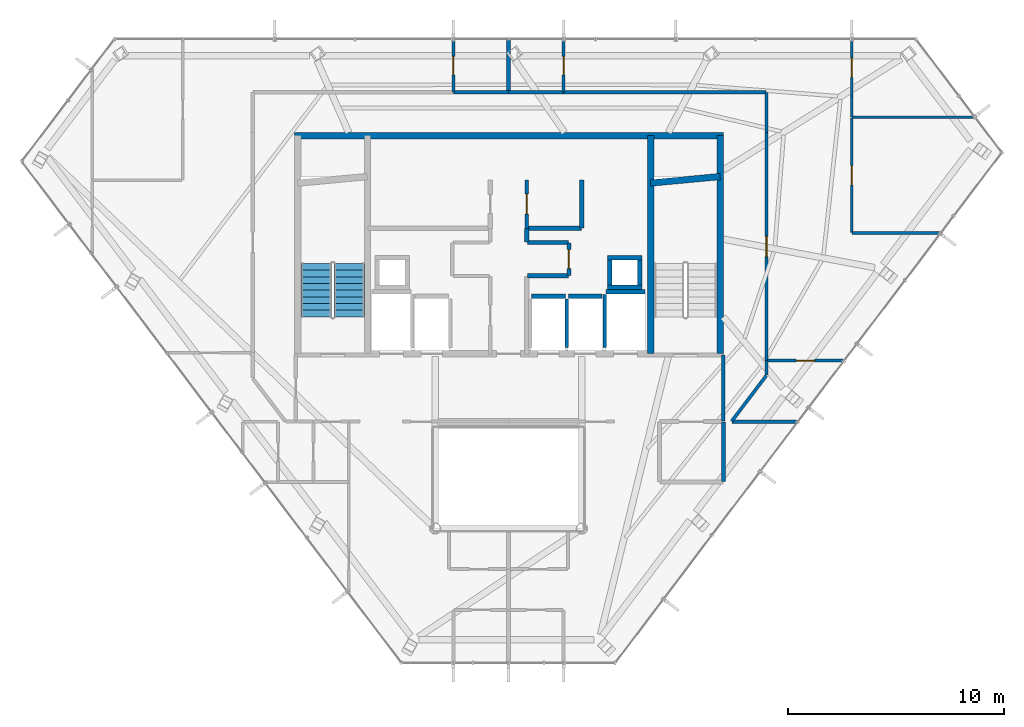
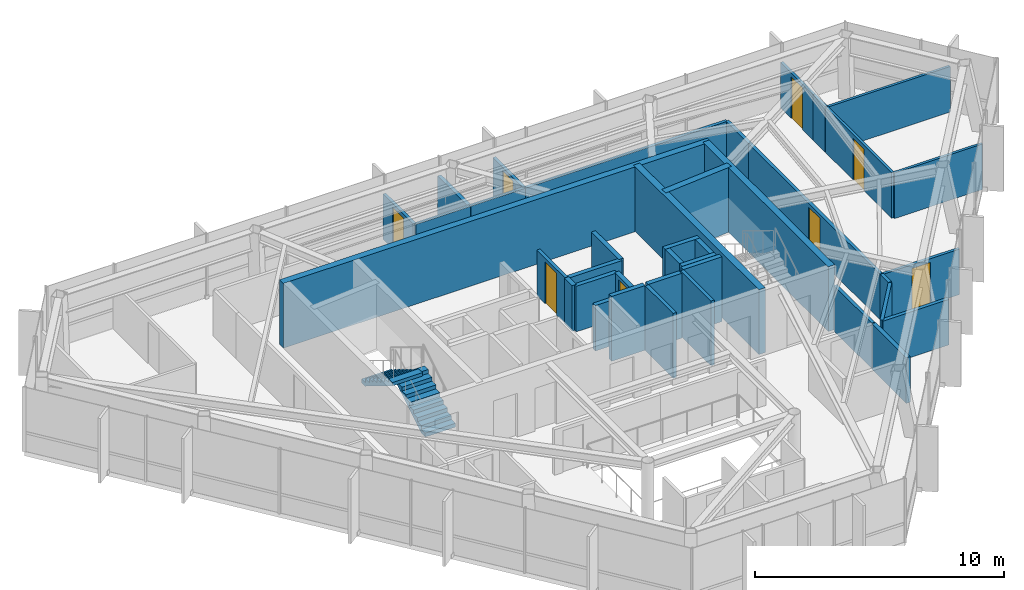
# One storey, part 24 of 26: 39 walls, 8 doors, 2 stair flights, 8 openings, 1 element without a shape of its own.
"""IFC4 building model written with IfcOpenShell, lengths in metres."""

from ifc_helpers import new_model, si_unit, direction, frame, frame_2d, origin, place, context, subcontext, project, spatial, polyline, rectangle, outline, extrude, material, layer, layer_set, type_object, element, fill, aggregate, save


model = new_model("IFC4")

# Units and contexts
model_context = context("Model", 3, precision=1e-05, world=origin(), true_north=direction((0.0, 1.0)))
body_context = subcontext(model_context, "Body", "Model", "MODEL_VIEW")
ifc_project = project(units=[si_unit("LENGTHUNIT", "METRE"), si_unit("AREAUNIT", "SQUARE_METRE"), si_unit("VOLUMEUNIT", "CUBIC_METRE"), si_unit("PLANEANGLEUNIT", "RADIAN"), si_unit("MASSUNIT", "GRAM", prefix="KILO")], contexts=[model_context])

# Site, building, storey
site_placement = place(None, origin())
site = spatial("IfcSite", under=ifc_project, at=site_placement, CompositionType="ELEMENT")
building_placement = place(site_placement, origin())
building = spatial("IfcBuilding", under=site, at=building_placement, Name="Zarrinselat Tower", CompositionType="ELEMENT")
storey_placement = place(building_placement, frame((0.0, 0.0, 265.199951171875)))
storey = spatial("IfcBuildingStorey", under=building, at=storey_placement, Name="L67", CompositionType="ELEMENT", Elevation=265.199951171875)

# Walls
ifc_material_1 = material(Name="Fire-Rated Gypsum Board Partition", Category="gypsum")
ifc_layer_1 = layer(ifc_material_1, 0.1650390625)
ifc_layer_set_1 = layer_set([ifc_layer_1], Name="Fire-Rated Gypsum Board Partition")
wall_type_1 = type_object("IfcWallType", Name="WAL-PART-DEMISE", PredefinedType="PARTITIONING", material=ifc_layer_set_1)
wall_1_placement = place(storey_placement, frame((48.745361328125, 30.14990234375, 0.0), z_axis=(0.0, 0.0, 1.0), x_axis=(1.0, 0.0, 0.0)))
element("IfcWall", 1, at=wall_1_placement, inside=storey, type_object=wall_type_1, Name="L67 Partition Wall 60", PredefinedType="PARTITIONING", context=body_context, shape_type="SweptSolid", body=[
    extrude(rectangle(XDim=3.05126953125, YDim=0.1650390625, at=frame_2d((1.525634765625, 0.0))), origin(), (0.0, 0.0, 1.0), 2.235107421875),
])
wall_2_placement = place(storey_placement, frame((38.39990234375, 45.4267578125, 0.0), z_axis=(0.0, 0.0, 1.0), x_axis=(0.0, 1.0, 0.0)))
element("IfcWall", 2, at=wall_2_placement, inside=storey, type_object=wall_type_1, Name="L67 Partition Wall 67", PredefinedType="PARTITIONING", context=body_context, shape_type="SweptSolid", body=[
    extrude(rectangle(XDim=2.425048828125, YDim=0.1650390625, at=frame_2d((1.21240234375, 0.0))), origin(), (0.0, 0.0, 1.0), 2.235107421875),
])
ifc_material_2 = material(Name="Concrete C40/50", Category="concrete")
ifc_layer_2 = layer(ifc_material_2, 0.18994140625)
ifc_layer_set_2 = layer_set([ifc_layer_2], Name="Concrete C40/50")
wall_type_2 = type_object("IfcWallType", Name="WAL-PART-EI120", PredefinedType="PARTITIONING", material=ifc_layer_set_2)
wall_3_placement = place(storey_placement, frame((48.35009765625, 27.3701171875, 0.0), z_axis=(0.0, 0.0, 1.0), x_axis=(0.0, 1.0, 0.0)))
element("IfcWall", 3, at=wall_3_placement, inside=storey, type_object=wall_type_2, Name="L67 Partition Wall 26", PredefinedType="PARTITIONING", context=body_context, shape_type="SweptSolid", body=[
    extrude(rectangle(XDim=2.759765625, YDim=0.18994140625, at=frame_2d((1.3798828125, 0.0))), origin(), (0.0, 0.0, 1.0), 2.235107421875),
])

# Wall, opening, door
ifc_material_3 = material(Name="Fire-Rated Gypsum Board Partition", Category="gypsum")
ifc_layer_3 = layer(ifc_material_3, 0.14990234375)
ifc_layer_set_3 = layer_set([ifc_layer_3], Name="Fire-Rated Gypsum Board Partition")
wall_type_3 = type_object("IfcWallType", Name="WAL-PART-EI60", PredefinedType="PARTITIONING", material=ifc_layer_set_3)
wall_4_placement = place(storey_placement, frame((39.25, 39.10498046875, 0.0), z_axis=(0.0, 0.0, 1.0), x_axis=(0.0, 1.0, 0.0)))
wall_4 = element("IfcWall", 4, at=wall_4_placement, inside=storey, type_object=wall_type_3, Name="L67 Partition Wall 12", PredefinedType="PARTITIONING", context=body_context, shape_type="SweptSolid", body=[
    extrude(rectangle(XDim=2.2451171875, YDim=0.14990234375, at=frame_2d((1.12255859375, 0.0))), origin(), (0.0, 0.0, 1.0), 2.235107421875),
])
opening_1_placement = place(wall_4_placement, frame((0.652587890625, 0.0, 0.0)))
opening_1 = element("IfcOpeningElement", 5, at=opening_1_placement, cuts=wall_4, Name="Opening ID-04", PredefinedType="OPENING", context=body_context, shape_type="SweptSolid", body=[
    extrude(rectangle(XDim=0.93994140625, YDim=2.050048828125, at=frame_2d((0.469970703125, 1.02490234375))), frame((0.0, 0.0849609375, 0.0), z_axis=(0.0, -1.0, 0.0), x_axis=(1.0, 0.0, 0.0)), (0.0, 0.0, 1.0), 0.169921875),
])
ifc_material_4 = material(Name="Fire-Rated Gypsum Board Partition")
door_type_1 = type_object("IfcDoorType", Name="DR-INT-FD30-ENT", OperationType="NOTDEFINED", PredefinedType="DOOR", material=ifc_material_4)
door_1_placement = place(opening_1_placement, origin())
door_1 = element("IfcDoor", 6, at=door_1_placement, inside=storey, type_object=door_type_1, Name="L67 Interior Door P12", OperationType="SINGLE_SWING_RIGHT", OverallHeight=2.050048828125, OverallWidth=0.93994140625, PredefinedType="DOOR", context=body_context, shape_type="SweptSolid", body=[
    extrude(rectangle(XDim=0.93994140625, YDim=2.050048828125, at=frame_2d((0.469970703125, 1.02490234375))), frame((0.0, 0.02490234375, 0.0), z_axis=(0.0, -1.0, 0.0), x_axis=(1.0, 0.0, 0.0)), (0.0, 0.0, 1.0), 0.050048828125),
])
fill(opening_1, door_1)

# Walls
wall_5_placement = place(storey_placement, frame((48.35009765625, 30.169921875, 0.0), z_axis=(0.0, 0.0, 1.0), x_axis=(0.0, 1.0, 0.0)))
element("IfcWall", 7, at=wall_5_placement, inside=storey, type_object=wall_type_3, Name="L67 Partition Wall 18", PredefinedType="PARTITIONING", context=body_context, shape_type="SweptSolid", body=[
    extrude(rectangle(XDim=3.06005859375, YDim=0.14990234375, at=frame_2d((1.530029296875, 0.0))), origin(), (0.0, 0.0, 1.0), 2.235107421875),
])
wall_6_placement = place(storey_placement, frame((35.85498046875, 45.40673828125, 0.0), z_axis=(0.0, 0.0, 1.0), x_axis=(1.0, 0.0, 0.0)))
element("IfcWall", 8, at=wall_6_placement, inside=storey, type_object=wall_type_3, Name="L67 Partition Wall 31", PredefinedType="PARTITIONING", context=body_context, shape_type="SweptSolid", body=[
    extrude(rectangle(XDim=2.5400390625, YDim=0.14990234375, at=frame_2d((1.27001953125, 0.0))), origin(), (0.0, 0.0, 1.0), 2.235107421875),
])
wall_7_placement = place(storey_placement, frame((40.955078125, 45.40673828125, 0.0), z_axis=(0.0, 0.0, 1.0), x_axis=(1.0, 0.0, 0.0)))
element("IfcWall", 9, at=wall_7_placement, inside=storey, type_object=wall_type_3, Name="L67 Partition Wall 34", PredefinedType="PARTITIONING", context=body_context, shape_type="SweptSolid", body=[
    extrude(rectangle(XDim=9.375, YDim=0.14990234375, at=frame_2d((4.6875, 0.0))), origin(), (0.0, 0.0, 1.0), 2.235107421875),
])
wall_8_placement = place(storey_placement, frame((50.35009765625, 43.550048828125, 0.0), z_axis=(0.0, 0.0, 1.0), x_axis=(0.0, 1.0, 0.0)))
element("IfcWall", 10, at=wall_8_placement, inside=storey, type_object=wall_type_3, Name="L67 Partition Wall 35", PredefinedType="PARTITIONING", context=body_context, shape_type="SweptSolid", body=[
    extrude(rectangle(XDim=1.836669921875, YDim=0.14990234375, at=frame_2d((0.91845703125, 0.0))), origin(), (0.0, 0.0, 1.0), 2.235107421875),
])

# Wall, opening, door
wall_9_placement = place(storey_placement, frame((50.35009765625, 32.97998046875, 0.0), z_axis=(0.0, 0.0, 1.0), x_axis=(0.0, 1.0, 0.0)))
wall_9 = element("IfcWall", 11, at=wall_9_placement, inside=storey, type_object=wall_type_3, Name="L67 Partition Wall 36", PredefinedType="PARTITIONING", context=body_context, shape_type="SweptSolid", body=[
    extrude(rectangle(XDim=10.570068359375, YDim=0.14990234375, at=frame_2d((5.28515625, 0.0))), origin(), (0.0, 0.0, 1.0), 2.235107421875),
])
opening_2_placement = place(wall_9_placement, frame((4.81494140625, 0.0, 0.0)))
opening_2 = element("IfcOpeningElement", 12, at=opening_2_placement, cuts=wall_9, Name="Opening ID-04", PredefinedType="OPENING", context=body_context, shape_type="SweptSolid", body=[
    extrude(rectangle(XDim=0.93994140625, YDim=2.050048828125, at=frame_2d((0.469970703125, 1.02490234375))), frame((0.0, 0.0849609375, 0.0), z_axis=(0.0, -1.0, 0.0), x_axis=(1.0, 0.0, 0.0)), (0.0, 0.0, 1.0), 0.169921875),
])
door_2_placement = place(opening_2_placement, origin())
door_2 = element("IfcDoor", 13, at=door_2_placement, inside=storey, type_object=door_type_1, Name="L67 Interior Door P36", OperationType="SINGLE_SWING_LEFT", OverallHeight=2.050048828125, OverallWidth=0.93994140625, PredefinedType="DOOR", context=body_context, shape_type="SweptSolid", body=[
    extrude(rectangle(XDim=0.93994140625, YDim=2.050048828125, at=frame_2d((0.469970703125, 1.02490234375))), frame((0.0, 0.02490234375, 0.0), z_axis=(0.0, -1.0, 0.0), x_axis=(1.0, 0.0, 0.0)), (0.0, 0.0, 1.0), 0.050048828125),
])
fill(opening_2, door_2)

# Walls
wall_10_placement = place(storey_placement, frame((50.35009765625, 32.314453125, 0.0), z_axis=(0.0, 0.0, 1.0), x_axis=(0.0, 1.0, 0.0)))
element("IfcWall", 14, at=wall_10_placement, inside=storey, type_object=wall_type_3, Name="L67 Partition Wall 37", PredefinedType="PARTITIONING", context=body_context, shape_type="SweptSolid", body=[
    extrude(rectangle(XDim=0.65576171875, YDim=0.14990234375, at=frame_2d((0.327880859375, 0.0))), origin(), (0.0, 0.0, 1.0), 2.235107421875),
])
wall_11_placement = place(storey_placement, frame((48.737548828125, 30.166015625, 0.0), z_axis=(0.0, 0.0, 1.0), x_axis=(0.603839951985, 0.797105584215, 0.0)))
element("IfcWall", 15, at=wall_11_placement, inside=storey, type_object=wall_type_3, Name="L67 Partition Wall 38", PredefinedType="PARTITIONING", context=body_context, shape_type="SweptSolid", body=[
    extrude(rectangle(XDim=2.650390625, YDim=0.14990234375, at=frame_2d((1.3251953125, 0.0))), origin(), (0.0, 0.0, 1.0), 2.235107421875),
])
wall_12_placement = place(storey_placement, frame((38.405029296875, 45.40673828125, 0.0), z_axis=(0.0, 0.0, 1.0), x_axis=(1.0, 0.0, 0.0)))
element("IfcWall", 16, at=wall_12_placement, inside=storey, type_object=wall_type_3, Name="L67 Partition Wall 39", PredefinedType="PARTITIONING", context=body_context, shape_type="SweptSolid", body=[
    extrude(rectangle(XDim=2.5400390625, YDim=0.14990234375, at=frame_2d((1.27001953125, 0.0))), origin(), (0.0, 0.0, 1.0), 2.235107421875),
])
ifc_material_5 = material(Name="Concrete C40/50", Category="concrete")
ifc_layer_4 = layer(ifc_material_5, 0.199951171875)
ifc_layer_set_4 = layer_set([ifc_layer_4], Name="Concrete C40/50")
wall_type_4 = type_object("IfcWallType", Name="WAL-PART-PLANT", PredefinedType="PARTITIONING", material=ifc_layer_set_4)
wall_13_placement = place(storey_placement, frame((39.25, 38.469970703125, 0.0), z_axis=(0.0, 0.0, 1.0), x_axis=(0.0, 1.0, 0.0)))
element("IfcWall", 17, at=wall_13_placement, inside=storey, type_object=wall_type_4, Name="L67 Partition Wall 7", PredefinedType="PARTITIONING", context=body_context, shape_type="SweptSolid", body=[
    extrude(rectangle(XDim=0.625, YDim=0.199951171875, at=frame_2d((0.3125, 0.0))), origin(), (0.0, 0.0, 1.0), 2.235107421875),
])
wall_14_placement = place(storey_placement, frame((39.27001953125, 38.449951171875, 0.0), z_axis=(0.0, 0.0, 1.0), x_axis=(1.0, 0.0, 0.0)))
element("IfcWall", 18, at=wall_14_placement, inside=storey, type_object=wall_type_4, Name="L67 Partition Wall 8", PredefinedType="PARTITIONING", context=body_context, shape_type="SweptSolid", body=[
    extrude(rectangle(XDim=1.909912109375, YDim=0.199951171875, at=frame_2d((0.955078125, 0.0))), origin(), (0.0, 0.0, 1.0), 2.235107421875),
])

# Wall, opening, door
wall_15_placement = place(storey_placement, frame((41.199951171875, 36.919921875, 0.0), z_axis=(0.0, 0.0, 1.0), x_axis=(0.0, 1.0, 0.0)))
wall_15 = element("IfcWall", 19, at=wall_15_placement, inside=storey, type_object=wall_type_4, Name="L67 Partition Wall 9", PredefinedType="PARTITIONING", context=body_context, shape_type="SweptSolid", body=[
    extrude(rectangle(XDim=1.510009765625, YDim=0.199951171875, at=frame_2d((0.7548828125, 0.0))), origin(), (0.0, 0.0, 1.0), 2.235107421875),
])
opening_3_placement = place(wall_15_placement, frame((0.31494140625, 0.0, 0.0)))
opening_3 = element("IfcOpeningElement", 20, at=opening_3_placement, cuts=wall_15, Name="Opening ID-03", PredefinedType="OPENING", context=body_context, shape_type="SweptSolid", body=[
    extrude(rectangle(XDim=0.8798828125, YDim=2.050048828125, at=frame_2d((0.43994140625, 1.02490234375))), frame((0.0, 0.10986328125, 0.0), z_axis=(0.0, -1.0, 0.0), x_axis=(1.0, 0.0, 0.0)), (0.0, 0.0, 1.0), 0.219970703125),
])
ifc_material_6 = material(Name="Steel S355J2", Category="steel")
door_type_2 = type_object("IfcDoorType", Name="DR-INT-FD60-S", OperationType="NOTDEFINED", PredefinedType="DOOR", material=ifc_material_6)
door_3_placement = place(opening_3_placement, origin())
door_3 = element("IfcDoor", 21, at=door_3_placement, inside=storey, type_object=door_type_2, Name="L67 Interior Door P9", OperationType="SINGLE_SWING_LEFT", OverallHeight=2.050048828125, OverallWidth=0.8798828125, PredefinedType="DOOR", context=body_context, shape_type="SweptSolid", body=[
    extrude(rectangle(XDim=0.8798828125, YDim=2.050048828125, at=frame_2d((0.43994140625, 1.02490234375))), frame((0.0, 0.02490234375, 0.0), z_axis=(0.0, -1.0, 0.0), x_axis=(1.0, 0.0, 0.0)), (0.0, 0.0, 1.0), 0.050048828125),
])
fill(opening_3, door_3)

# Walls
wall_16_placement = place(storey_placement, frame((39.27001953125, 36.89990234375, 0.0), z_axis=(0.0, 0.0, 1.0), x_axis=(1.0, 0.0, 0.0)))
element("IfcWall", 22, at=wall_16_placement, inside=storey, type_object=wall_type_4, Name="L67 Partition Wall 10", PredefinedType="PARTITIONING", context=body_context, shape_type="SweptSolid", body=[
    extrude(rectangle(XDim=1.909912109375, YDim=0.199951171875, at=frame_2d((0.955078125, 0.0))), origin(), (0.0, 0.0, 1.0), 2.235107421875),
])
wall_17_placement = place(storey_placement, frame((39.27001953125, 39.10009765625, 0.0), z_axis=(0.0, 0.0, 1.0), x_axis=(1.0, 0.0, 0.0)))
element("IfcWall", 23, at=wall_17_placement, inside=storey, type_object=wall_type_4, Name="L67 Partition Wall 14", PredefinedType="PARTITIONING", context=body_context, shape_type="SweptSolid", body=[
    extrude(rectangle(XDim=2.510009765625, YDim=0.199951171875, at=frame_2d((1.2548828125, 0.0))), origin(), (0.0, 0.0, 1.0), 2.235107421875),
])
wall_18_placement = place(storey_placement, frame((41.800048828125, 39.1201171875, 0.0), z_axis=(0.0, 0.0, 1.0), x_axis=(0.0, 1.0, 0.0)))
element("IfcWall", 24, at=wall_18_placement, inside=storey, type_object=wall_type_4, Name="L67 Partition Wall 15", PredefinedType="PARTITIONING", context=body_context, shape_type="SweptSolid", body=[
    extrude(rectangle(XDim=2.22998046875, YDim=0.199951171875, at=frame_2d((1.114990234375, 0.0))), origin(), (0.0, 0.0, 1.0), 2.235107421875),
])

# Wall, opening, door
ifc_material_7 = material(Name="Fire-Rated Gypsum Board Partition", Category="gypsum")
ifc_layer_5 = layer(ifc_material_7, 0.1201171875)
ifc_layer_set_5 = layer_set([ifc_layer_5], Name="Fire-Rated Gypsum Board Partition")
wall_type_5 = type_object("IfcWallType", Name="WAL-PART-STD", PredefinedType="PARTITIONING", material=ifc_layer_set_5)
wall_19_placement = place(storey_placement, frame((54.301025390625, 45.23876953125, 0.0), z_axis=(0.0, 0.0, 1.0), x_axis=(0.0, 1.0, 0.0)))
wall_19 = element("IfcWall", 25, at=wall_19_placement, inside=storey, type_object=wall_type_5, Name="L67 Partition Wall 70", PredefinedType="PARTITIONING", context=body_context, shape_type="SweptSolid", body=[
    extrude(rectangle(XDim=2.613037109375, YDim=0.1201171875, at=frame_2d((1.306640625, 0.0))), origin(), (0.0, 0.0, 1.0), 2.235107421875),
])
opening_4_placement = place(wall_19_placement, frame((0.8564453125, 0.0, 0.0)))
opening_4 = element("IfcOpeningElement", 26, at=opening_4_placement, cuts=wall_19, Name="Opening ID-05", PredefinedType="OPENING", context=body_context, shape_type="SweptSolid", body=[
    extrude(rectangle(XDim=0.89990234375, YDim=2.050048828125, at=frame_2d((0.449951171875, 1.02490234375))), frame((0.0, 0.070068359375, 0.0), z_axis=(0.0, -1.0, 0.0), x_axis=(1.0, 0.0, 0.0)), (0.0, 0.0, 1.0), 0.14013671875),
])
ifc_material_8 = material(Name="Extruded Aluminium Alloy EN AW-6063 T6", Category="aluminium")
door_type_3 = type_object("IfcDoorType", Name="DR-INT-STD-920", OperationType="NOTDEFINED", PredefinedType="DOOR", material=ifc_material_8)
door_4_placement = place(opening_4_placement, origin())
door_4 = element("IfcDoor", 27, at=door_4_placement, inside=storey, type_object=door_type_3, Name="L67 Interior Door P70", OperationType="SINGLE_SWING_LEFT", OverallHeight=2.050048828125, OverallWidth=0.89990234375, PredefinedType="DOOR", context=body_context, shape_type="SweptSolid", body=[
    extrude(rectangle(XDim=0.89990234375, YDim=2.050048828125, at=frame_2d((0.449951171875, 1.02490234375))), frame((0.0, 0.02490234375, 0.0), z_axis=(0.0, -1.0, 0.0), x_axis=(1.0, 0.0, 0.0)), (0.0, 0.0, 1.0), 0.050048828125),
])
fill(opening_4, door_4)

# Wall
wall_20_placement = place(storey_placement, frame((54.301025390625, 44.2587890625, 0.0), z_axis=(0.0, 0.0, 1.0), x_axis=(0.0, 1.0, 0.0)))
element("IfcWall", 28, at=wall_20_placement, inside=storey, type_object=wall_type_5, Name="L67 Partition Wall 71", PredefinedType="PARTITIONING", context=body_context, shape_type="SweptSolid", body=[
    extrude(rectangle(XDim=0.97998046875, YDim=0.1201171875, at=frame_2d((0.489990234375, 0.0))), origin(), (0.0, 0.0, 1.0), 2.235107421875),
])

# Wall, opening, door
wall_21_placement = place(storey_placement, frame((54.301025390625, 38.906982421875, 0.0), z_axis=(0.0, 0.0, 1.0), x_axis=(0.0, 1.0, 0.0)))
wall_21 = element("IfcWall", 29, at=wall_21_placement, inside=storey, type_object=wall_type_5, Name="L67 Partition Wall 72", PredefinedType="PARTITIONING", context=body_context, shape_type="SweptSolid", body=[
    extrude(rectangle(XDim=5.311767578125, YDim=0.1201171875, at=frame_2d((2.65576171875, 0.0))), origin(), (0.0, 0.0, 1.0), 2.235107421875),
])
opening_5_placement = place(wall_21_placement, frame((2.205810546875, 0.0, 0.0)))
opening_5 = element("IfcOpeningElement", 30, at=opening_5_placement, cuts=wall_21, Name="Opening ID-05", PredefinedType="OPENING", context=body_context, shape_type="SweptSolid", body=[
    extrude(rectangle(XDim=0.89990234375, YDim=2.050048828125, at=frame_2d((0.449951171875, 1.02490234375))), frame((0.0, 0.070068359375, 0.0), z_axis=(0.0, -1.0, 0.0), x_axis=(1.0, 0.0, 0.0)), (0.0, 0.0, 1.0), 0.14013671875),
])
door_5_placement = place(opening_5_placement, origin())
door_5 = element("IfcDoor", 31, at=door_5_placement, inside=storey, type_object=door_type_3, Name="L67 Interior Door P72", OperationType="SINGLE_SWING_RIGHT", OverallHeight=2.050048828125, OverallWidth=0.89990234375, PredefinedType="DOOR", context=body_context, shape_type="SweptSolid", body=[
    extrude(rectangle(XDim=0.89990234375, YDim=2.050048828125, at=frame_2d((0.449951171875, 1.02490234375))), frame((0.0, 0.02490234375, 0.0), z_axis=(0.0, -1.0, 0.0), x_axis=(1.0, 0.0, 0.0)), (0.0, 0.0, 1.0), 0.050048828125),
])
fill(opening_5, door_5)

# Walls
wall_22_placement = place(storey_placement, frame((54.321044921875, 38.88720703125, 0.0), z_axis=(0.0, 0.0, 1.0), x_axis=(1.0, 0.0, 0.0)))
element("IfcWall", 32, at=wall_22_placement, inside=storey, type_object=wall_type_5, Name="L67 Partition Wall 73", PredefinedType="PARTITIONING", context=body_context, shape_type="SweptSolid", body=[
    extrude(rectangle(XDim=4.0947265625, YDim=0.1201171875, at=frame_2d((2.04736328125, 0.0))), origin(), (0.0, 0.0, 1.0), 2.235107421875),
])
wall_23_placement = place(storey_placement, frame((54.321044921875, 44.23876953125, 0.0), z_axis=(0.0, 0.0, 1.0), x_axis=(1.0, 0.0, 0.0)))
element("IfcWall", 33, at=wall_23_placement, inside=storey, type_object=wall_type_5, Name="L67 Partition Wall 74", PredefinedType="PARTITIONING", context=body_context, shape_type="SweptSolid", body=[
    extrude(rectangle(XDim=5.68701171875, YDim=0.1201171875, at=frame_2d((2.843505859375, 0.0))), origin(), (0.0, 0.0, 1.0), 2.235107421875),
])

# Wall, opening, door
ifc_material_9 = material(Name="Fire-Rated Gypsum Board Partition", Category="gypsum")
ifc_layer_6 = layer(ifc_material_9, 0.135009765625)
ifc_layer_set_6 = layer_set([ifc_layer_6], Name="Fire-Rated Gypsum Board Partition")
wall_type_6 = type_object("IfcWallType", Name="WAL-PART-WET", PredefinedType="PARTITIONING", material=ifc_layer_set_6)
wall_24_placement = place(storey_placement, frame((35.85009765625, 45.4267578125, 0.0), z_axis=(0.0, 0.0, 1.0), x_axis=(0.0, 1.0, 0.0)))
wall_24 = element("IfcWall", 34, at=wall_24_placement, inside=storey, type_object=wall_type_6, Name="L67 Partition Wall 62", PredefinedType="PARTITIONING", context=body_context, shape_type="SweptSolid", body=[
    extrude(rectangle(XDim=2.425048828125, YDim=0.135009765625, at=frame_2d((1.21240234375, 0.0))), origin(), (0.0, 0.0, 1.0), 2.235107421875),
])
opening_6_placement = place(wall_24_placement, frame((0.782470703125, 0.0, 0.0)))
opening_6 = element("IfcOpeningElement", 35, at=opening_6_placement, cuts=wall_24, Name="Opening ID-06", PredefinedType="OPENING", context=body_context, shape_type="SweptSolid", body=[
    extrude(rectangle(XDim=0.860107421875, YDim=2.050048828125, at=frame_2d((0.43017578125, 1.02490234375))), frame((0.0, 0.077392578125, 0.0), z_axis=(0.0, -1.0, 0.0), x_axis=(1.0, 0.0, 0.0)), (0.0, 0.0, 1.0), 0.155029296875),
])
ifc_material_10 = material(Name="Extruded Aluminium Alloy EN AW-6063 T6", Category="aluminium")
door_type_4 = type_object("IfcDoorType", Name="DR-INT-WET-900", OperationType="NOTDEFINED", PredefinedType="DOOR", material=ifc_material_10)
door_6_placement = place(opening_6_placement, origin())
door_6 = element("IfcDoor", 36, at=door_6_placement, inside=storey, type_object=door_type_4, Name="L67 Interior Door P62", OperationType="SINGLE_SWING_RIGHT", OverallHeight=2.050048828125, OverallWidth=0.860107421875, PredefinedType="DOOR", context=body_context, shape_type="SweptSolid", body=[
    extrude(rectangle(XDim=0.860107421875, YDim=2.050048828125, at=frame_2d((0.43017578125, 1.02490234375))), frame((0.0, 0.02490234375, 0.0), z_axis=(0.0, -1.0, 0.0), x_axis=(1.0, 0.0, 0.0)), (0.0, 0.0, 1.0), 0.050048828125),
])
fill(opening_6, door_6)

wall_25_placement = place(storey_placement, frame((50.3701171875, 32.97509765625, 0.0), z_axis=(0.0, 0.0, 1.0), x_axis=(1.0, 0.0, 0.0)))
wall_25 = element("IfcWall", 37, at=wall_25_placement, inside=storey, type_object=wall_type_6, Name="L67 Partition Wall 68", PredefinedType="PARTITIONING", context=body_context, shape_type="SweptSolid", body=[
    extrude(rectangle(XDim=3.566650390625, YDim=0.135009765625, at=frame_2d((1.783203125, 0.0))), origin(), (0.0, 0.0, 1.0), 2.235107421875),
])
opening_7_placement = place(wall_25_placement, frame((1.353515625, 0.0, 0.0)))
opening_7 = element("IfcOpeningElement", 38, at=opening_7_placement, cuts=wall_25, Name="Opening ID-06", PredefinedType="OPENING", context=body_context, shape_type="SweptSolid", body=[
    extrude(rectangle(XDim=0.860107421875, YDim=2.050048828125, at=frame_2d((0.43017578125, 1.02490234375))), frame((0.0, 0.077392578125, 0.0), z_axis=(0.0, -1.0, 0.0), x_axis=(1.0, 0.0, 0.0)), (0.0, 0.0, 1.0), 0.155029296875),
])
door_7_placement = place(opening_7_placement, origin())
door_7 = element("IfcDoor", 39, at=door_7_placement, inside=storey, type_object=door_type_4, Name="L67 Interior Door P68", OperationType="SINGLE_SWING_LEFT", OverallHeight=2.050048828125, OverallWidth=0.860107421875, PredefinedType="DOOR", context=body_context, shape_type="SweptSolid", body=[
    extrude(rectangle(XDim=0.860107421875, YDim=2.050048828125, at=frame_2d((0.43017578125, 1.02490234375))), frame((0.0, 0.02490234375, 0.0), z_axis=(0.0, -1.0, 0.0), x_axis=(1.0, 0.0, 0.0)), (0.0, 0.0, 1.0), 0.050048828125),
])
fill(opening_7, door_7)

wall_26_placement = place(storey_placement, frame((40.949951171875, 45.4267578125, 0.0), z_axis=(0.0, 0.0, 1.0), x_axis=(0.0, 1.0, 0.0)))
wall_26 = element("IfcWall", 40, at=wall_26_placement, inside=storey, type_object=wall_type_6, Name="L67 Partition Wall 69", PredefinedType="PARTITIONING", context=body_context, shape_type="SweptSolid", body=[
    extrude(rectangle(XDim=2.425048828125, YDim=0.135009765625, at=frame_2d((1.21240234375, 0.0))), origin(), (0.0, 0.0, 1.0), 2.235107421875),
])
opening_8_placement = place(wall_26_placement, frame((0.782470703125, 0.0, 0.0)))
opening_8 = element("IfcOpeningElement", 41, at=opening_8_placement, cuts=wall_26, Name="Opening ID-06", PredefinedType="OPENING", context=body_context, shape_type="SweptSolid", body=[
    extrude(rectangle(XDim=0.860107421875, YDim=2.050048828125, at=frame_2d((0.43017578125, 1.02490234375))), frame((0.0, 0.077392578125, 0.0), z_axis=(0.0, -1.0, 0.0), x_axis=(1.0, 0.0, 0.0)), (0.0, 0.0, 1.0), 0.155029296875),
])
door_8_placement = place(opening_8_placement, origin())
door_8 = element("IfcDoor", 42, at=door_8_placement, inside=storey, type_object=door_type_4, Name="L67 Interior Door P69", OperationType="SINGLE_SWING_RIGHT", OverallHeight=2.050048828125, OverallWidth=0.860107421875, PredefinedType="DOOR", context=body_context, shape_type="SweptSolid", body=[
    extrude(rectangle(XDim=0.860107421875, YDim=2.050048828125, at=frame_2d((0.43017578125, 1.02490234375))), frame((0.0, 0.02490234375, 0.0), z_axis=(0.0, -1.0, 0.0), x_axis=(1.0, 0.0, 0.0)), (0.0, 0.0, 1.0), 0.050048828125),
])
fill(opening_8, door_8)

# Walls
ifc_material_11 = material(Name="Concrete C40/50", Category="concrete")
ifc_layer_7 = layer(ifc_material_11, 0.2099609375)
ifc_layer_set_7 = layer_set([ifc_layer_7], Name="Concrete C40/50")
wall_type_7 = type_object("IfcWallType", Name="WAL-SHAFT-210", PredefinedType="SOLIDWALL", material=ifc_layer_set_7)
wall_27_placement = place(storey_placement, frame((42.919921875, 36.155029296875, 0.0), z_axis=(0.0, 0.0, 1.0), x_axis=(1.0, 0.0, 0.0)))
element("IfcWall", 43, at=wall_27_placement, inside=storey, type_object=wall_type_7, Name="L67 Lift FFL2 North Shaft Wall", PredefinedType="SOLIDWALL", context=body_context, shape_type="SweptSolid", body=[
    extrude(rectangle(XDim=1.800048828125, YDim=0.2099609375, at=frame_2d((0.89990234375, 0.0))), origin(), (0.0, 0.0, 1.0), 3.179931640625),
])
wall_28_placement = place(storey_placement, frame((42.85009765625, 33.580078125, 0.0), z_axis=(0.0, 0.0, 1.0), x_axis=(0.0, 1.0, 0.0)))
element("IfcWall", 44, at=wall_28_placement, inside=storey, type_object=wall_type_7, Name="L67 Lift FFL2 W Shaft Wall", PredefinedType="SOLIDWALL", context=body_context, shape_type="SweptSolid", body=[
    extrude(rectangle(XDim=2.449951171875, YDim=0.159912109375, at=frame_2d((1.22509765625, 0.0))), origin(), (0.0, 0.0, 1.0), 3.179931640625),
])
wall_29_placement = place(storey_placement, frame((39.469970703125, 35.955078125, 0.0), z_axis=(0.0, 0.0, 1.0), x_axis=(1.0, 0.0, 0.0)))
element("IfcWall", 45, at=wall_29_placement, inside=storey, type_object=wall_type_7, Name="L67 Lift PL8 North Shaft Wall", PredefinedType="SOLIDWALL", context=body_context, shape_type="SweptSolid", body=[
    extrude(rectangle(XDim=1.56005859375, YDim=0.2099609375, at=frame_2d((0.780029296875, 0.0))), origin(), (0.0, 0.0, 1.0), 3.179931640625),
])
wall_30_placement = place(storey_placement, frame((41.10009765625, 33.580078125, 0.0), z_axis=(0.0, 0.0, 1.0), x_axis=(0.0, 1.0, 0.0)))
element("IfcWall", 46, at=wall_30_placement, inside=storey, type_object=wall_type_7, Name="L67 Lift PL8 E Shaft Wall", PredefinedType="SOLIDWALL", context=body_context, shape_type="SweptSolid", body=[
    extrude(rectangle(XDim=2.25, YDim=0.159912109375, at=frame_2d((1.125, 0.0))), origin(), (0.0, 0.0, 1.0), 3.179931640625),
])
wall_31_placement = place(storey_placement, frame((41.169921875, 35.955078125, 0.0), z_axis=(0.0, 0.0, 1.0), x_axis=(1.0, 0.0, 0.0)))
element("IfcWall", 47, at=wall_31_placement, inside=storey, type_object=wall_type_7, Name="L67 Lift PL9 North Shaft Wall", PredefinedType="SOLIDWALL", context=body_context, shape_type="SweptSolid", body=[
    extrude(rectangle(XDim=1.56005859375, YDim=0.2099609375, at=frame_2d((0.780029296875, 0.0))), origin(), (0.0, 0.0, 1.0), 3.179931640625),
])
for number, where, z_axis, x_axis, name in (
    (48, (42.989990234375, 36.375, 0.0), (0.0, 0.0, 1.0), (1.0, 0.0, 0.0), "L67 Core Riser RSR-E S Shaft Wall"),
    (49, (42.989990234375, 37.7451171875, 0.0), (0.0, 0.0, 1.0), (1.0, 0.0, 0.0), "L67 Core Riser RSR-E N Shaft Wall"),
):
    element("IfcWall", number, at=place(storey_placement, frame(where, z_axis=z_axis, x_axis=x_axis)), inside=storey, type_object=wall_type_7, Name=name, PredefinedType="SOLIDWALL", context=body_context, shape_type="SweptSolid", body=[
        extrude(rectangle(XDim=1.60009765625, YDim=0.2099609375, at=frame_2d((0.800048828125, 0.0))), origin(), (0.0, 0.0, 1.0), 3.179931640625),
    ])
for number, where, z_axis, x_axis, name in (
    (50, (43.094970703125, 36.485107421875, 0.0), (0.0, 0.0, 1.0), (0.0, 1.0, 0.0), "L67 Core Riser RSR-E W Shaft Wall"),
    (51, (44.485107421875, 36.485107421875, 0.0), (0.0, 0.0, 1.0), (0.0, 1.0, 0.0), "L67 Core Riser RSR-E E Shaft Wall"),
):
    element("IfcWall", number, at=place(storey_placement, frame(where, z_axis=z_axis, x_axis=x_axis)), inside=storey, type_object=wall_type_7, Name=name, PredefinedType="SOLIDWALL", context=body_context, shape_type="SweptSolid", body=[
        extrude(rectangle(XDim=1.14990234375, YDim=0.2099609375, at=frame_2d((0.574951171875, 0.0))), origin(), (0.0, 0.0, 1.0), 3.179931640625),
    ])
ifc_material_12 = material(Name="Concrete C40/50", Category="concrete")
ifc_layer_8 = layer(ifc_material_12, 0.300048828125)
ifc_layer_set_8 = layer_set([ifc_layer_8], Name="Concrete C40/50")
wall_type_8 = type_object("IfcWallType", Name="WAL-SHEAR-300", PredefinedType="SHEAR", material=ifc_layer_set_8)
wall_32_placement = place(storey_placement, frame((28.5, 43.39990234375, 0.0), z_axis=(0.0, 0.0, 1.0), x_axis=(1.0, 0.0, 0.0)))
element("IfcWall", 52, at=wall_32_placement, inside=storey, type_object=wall_type_8, Name="L67 North Core Shear Wall", PredefinedType="SHEAR", context=body_context, shape_type="SweptSolid", body=[
    extrude(rectangle(XDim=19.860107421875, YDim=0.300048828125, at=frame_2d((9.93017578125, 0.0))), origin(), (0.0, 0.0, 1.0), 3.179931640625),
])
for number, where, z_axis, x_axis, name in (
    (53, (44.989990234375, 33.300048828125, 0.0), (0.0, 0.0, 1.0), (0.0, 1.0, 0.0), "L67 Core Shear Wall ST2W"),
    (54, (48.2099609375, 33.300048828125, 0.0), (0.0, 0.0, 1.0), (0.0, 1.0, 0.0), "L67 Core Shear Wall E"),
):
    element("IfcWall", number, at=place(storey_placement, frame(where, z_axis=z_axis, x_axis=x_axis)), inside=storey, type_object=wall_type_8, Name=name, PredefinedType="SHEAR", context=body_context, shape_type="SweptSolid", body=[
        extrude(rectangle(XDim=10.099853515625, YDim=0.300048828125, at=frame_2d((5.0498046875, 0.0))), origin(), (0.0, 0.0, 1.0), 3.179931640625),
    ])
wall_33_placement = place(storey_placement, frame((44.97998046875, 41.199951171875, 0.0), z_axis=(0.0, 0.0, 1.0), x_axis=(0.995686468965, 0.09278176286, 0.0)))
element("IfcWall", 55, at=wall_33_placement, inside=storey, type_object=wall_type_8, Name="L67 Stair 2 North Shaft Wall", PredefinedType="SHEAR", context=body_context, shape_type="SweptSolid", body=[
    extrude(rectangle(XDim=3.23388671875, YDim=0.300048828125, at=frame_2d((1.616943359375, 0.0))), origin(), (0.0, 0.0, 1.0), 3.179931640625),
])

# Stair, stair flights
ifc_material_13 = material(Name="Concrete C40/50", Category="concrete")
stair_type = type_object("IfcStairType", Name="STR-CORE-155", PredefinedType="HALF_TURN_STAIR", material=ifc_material_13)
stair_placement = place(storey_placement, origin())
stair = element("IfcStair", 56, at=stair_placement, inside=storey, type_object=stair_type, Name="L67 Core Exit Stair 1", PredefinedType="HALF_TURN_STAIR")
ifc_material_14 = material(Name="Concrete C40/50", Category="concrete")
stair_flight_type = type_object("IfcStairFlightType", Name="STR-FLT-155", PredefinedType="STRAIGHT", material=ifc_material_14)
stair_flight_1_placement = place(storey_placement, frame((31.02001953125, 35.0, 0.0), z_axis=(0.0, 0.0, 1.0), x_axis=(0.0, 1.0, 0.0)))
stair_flight_1 = element("IfcStairFlight", 57, at=stair_flight_1_placement, type_object=stair_flight_type, Name="ST-1 flight 1", NumberOfRisers=9, NumberOfTreads=8, PredefinedType="STRAIGHT", RiserHeight=0.188888889, TreadLength=0.31, context=body_context, shape_type="SweptSolid", body=[
    extrude(outline(polyline([(0.0, 0.0), (0.0, 0.18896484375), (0.31005859375, 0.18896484375), (0.31005859375, 0.377685546875), (0.6201171875, 0.377685546875), (0.6201171875, 0.566650390625), (0.929931640625, 0.566650390625), (0.929931640625, 0.755615234375), (1.239990234375, 0.755615234375), (1.239990234375, 0.9443359375), (1.550048828125, 0.9443359375), (1.550048828125, 1.13330078125), (1.860107421875, 1.13330078125), (1.860107421875, 1.322265625), (2.169921875, 1.322265625), (2.169921875, 1.51123046875), (2.47998046875, 1.51123046875), (2.47998046875, 1.699951171875), (2.47998046875, 1.335693359375), (0.2880859375, 0.0), (0.0, 0.0)])), frame((0.0, 0.699951171875, 0.0), z_axis=(0.0, -1.0, 0.0), x_axis=(1.0, 0.0, 0.0)), (0.0, 0.0, 1.0), 1.39990234375),
])
stair_flight_2_placement = place(storey_placement, frame((29.5, 37.47998046875, 1.699951171875), z_axis=(0.0, 0.0, 1.0), x_axis=(0.0, -1.0, 0.0)))
stair_flight_2 = element("IfcStairFlight", 58, at=stair_flight_2_placement, type_object=stair_flight_type, Name="ST-1 flight 2", NumberOfRisers=9, NumberOfTreads=8, PredefinedType="STRAIGHT", RiserHeight=0.188888889, TreadLength=0.31, context=body_context, shape_type="SweptSolid", body=[
    extrude(outline(polyline([(0.0, 0.0), (0.0, 0.18896484375), (0.31005859375, 0.18896484375), (0.31005859375, 0.377685546875), (0.6201171875, 0.377685546875), (0.6201171875, 0.566650390625), (0.929931640625, 0.566650390625), (0.929931640625, 0.755615234375), (1.239990234375, 0.755615234375), (1.239990234375, 0.9443359375), (1.550048828125, 0.9443359375), (1.550048828125, 1.13330078125), (1.860107421875, 1.13330078125), (1.860107421875, 1.322265625), (2.169921875, 1.322265625), (2.169921875, 1.51123046875), (2.47998046875, 1.51123046875), (2.47998046875, 1.699951171875), (2.47998046875, 1.335693359375), (0.2880859375, 0.0), (0.0, 0.0)])), frame((0.0, 0.699951171875, 0.0), z_axis=(0.0, -1.0, 0.0), x_axis=(1.0, 0.0, 0.0)), (0.0, 0.0, 1.0), 1.39990234375),
])
aggregate(stair, [stair_flight_1, stair_flight_2])

save(model, "model.ifc")
